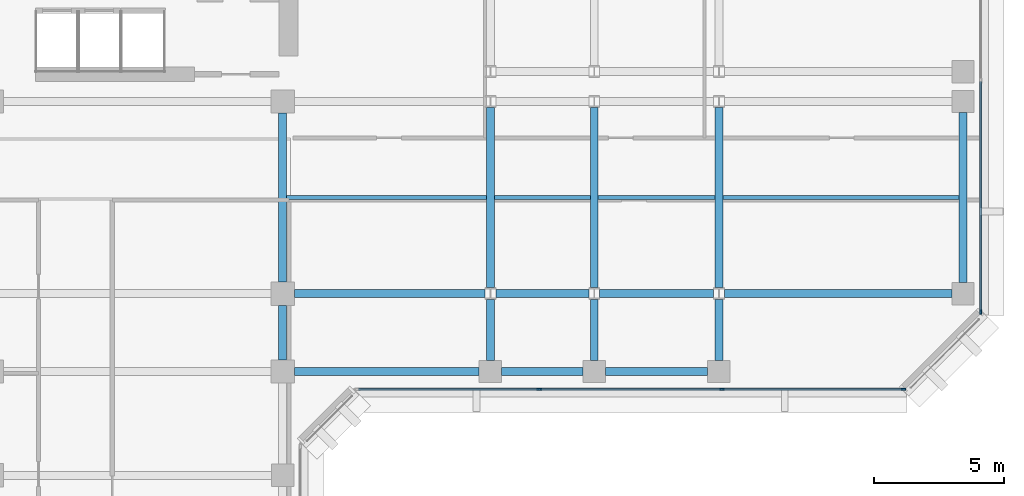
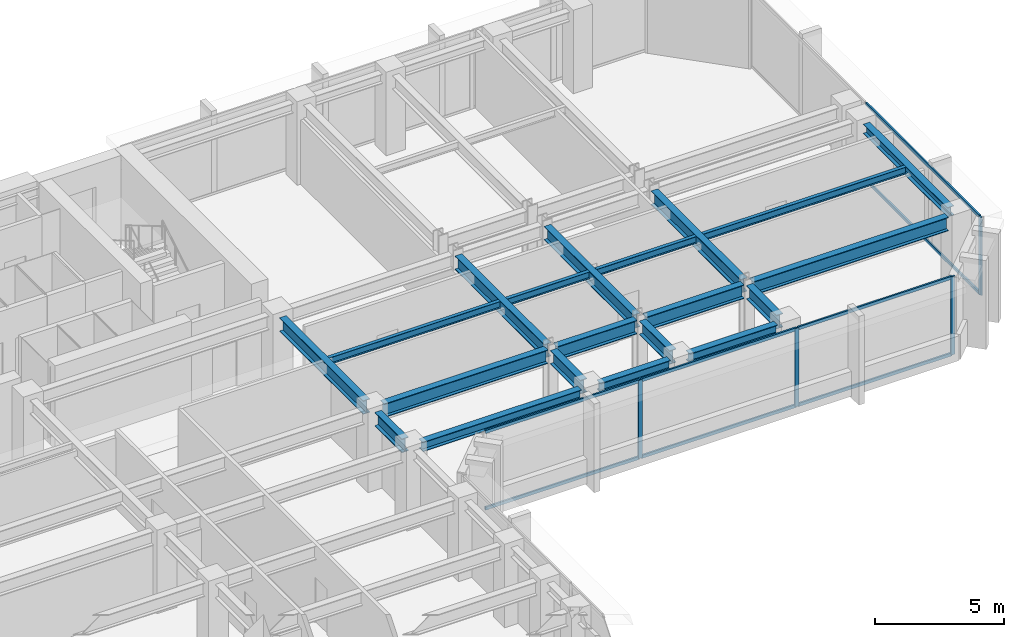
# One storey, part 3 of 11: 20 beams, 12 members, 2 elements without a shape of their own.
"""IFC4 building model written with IfcOpenShell, lengths in metres."""

from ifc_helpers import new_model, si_unit, direction, frame, origin, origin_2d, place, context, subcontext, project, spatial, rectangle, i_section, extrude, material, layer, layer_set, material_profile, profile_set, type_object, element, aggregate, save


model = new_model("IFC4")

# Units and contexts
model_context = context("Model", 3, precision=1e-05, world=origin(), true_north=direction((0.0, 1.0)))
body_context = subcontext(model_context, "Body", "Model", "MODEL_VIEW")
ifc_project = project(units=[si_unit("LENGTHUNIT", "METRE"), si_unit("AREAUNIT", "SQUARE_METRE"), si_unit("VOLUMEUNIT", "CUBIC_METRE"), si_unit("PLANEANGLEUNIT", "RADIAN"), si_unit("MASSUNIT", "GRAM", prefix="KILO")], contexts=[model_context])

# Site, building, storey
site_placement = place(None, origin())
site = spatial("IfcSite", under=ifc_project, at=site_placement, CompositionType="ELEMENT")
building_placement = place(site_placement, origin())
building = spatial("IfcBuilding", under=site, at=building_placement, Name="Kefirva Bronze Tower", CompositionType="ELEMENT")
storey_placement = place(building_placement, frame((0.0, 0.0, 166.64990234375)))
storey = spatial("IfcBuildingStorey", under=building, at=storey_placement, Name="L40", CompositionType="ELEMENT", Elevation=166.64990234375)

# Curtain wall, members
ifc_material_1 = material(Name="Bronze anodised aluminium", Category="aluminium")
ifc_layer = layer(ifc_material_1, 0.199951171875, Name="Bronze anodised aluminium")
ifc_layer_set = layer_set([ifc_layer], Name="Bronze anodised aluminium")
curtain_wall_type = type_object("IfcCurtainWallType", Name="Unitised Bronze Ribbon Curtain Wall Zone 2", PredefinedType="USERDEFINED", material=ifc_layer_set)
curtain_wall_1_placement = place(storey_placement, origin())
curtain_wall_1 = element("IfcCurtainWall", 1, at=curtain_wall_1_placement, inside=storey, type_object=curtain_wall_type, Name="L40 Curtain Wall 3", ObjectType="UNITISED CURTAIN WALL", PredefinedType="USERDEFINED")
ifc_material_profile_1 = material_profile(ifc_material_1, rectangle(XDim=0.074951171875, YDim=0.179931640625, at=origin_2d()), Name="ALU 75x180")
ifc_profile_set_1 = profile_set([ifc_material_profile_1], Name="Bronze anodised aluminium")
member_type_1 = type_object("IfcMemberType", Name="Bronze Mullion 75x180", PredefinedType="MULLION", material=ifc_profile_set_1)
member_1_placement = place(storey_placement, frame((33.0849609375, 22.1201171875, 0.0), z_axis=(0.0, 0.0, 1.0), x_axis=(0.0, 1.0, 0.0)))
member_1 = element("IfcMember", 2, at=member_1_placement, type_object=member_type_1, Name="CW-02 mullion 2", PredefinedType="MULLION", context=body_context, shape_type="SweptSolid", body=[
    extrude(rectangle(XDim=0.074951171875, YDim=0.179931640625, at=origin_2d()), origin(), (0.0, 0.0, 1.0), 3.710205078125),
])
member_2_placement = place(storey_placement, frame((40.114990234375, 22.1201171875, 0.0), z_axis=(0.0, 0.0, 1.0), x_axis=(0.0, 1.0, 0.0)))
member_2 = element("IfcMember", 3, at=member_2_placement, type_object=member_type_1, Name="CW-02 mullion 3", PredefinedType="MULLION", context=body_context, shape_type="SweptSolid", body=[
    extrude(rectangle(XDim=0.074951171875, YDim=0.179931640625, at=origin_2d()), origin(), (0.0, 0.0, 1.0), 3.710205078125),
])
member_3_placement = place(storey_placement, frame((47.107421875, 22.1201171875, 0.0), z_axis=(0.0, 0.0, 1.0), x_axis=(0.0, 1.0, 0.0)))
member_3 = element("IfcMember", 4, at=member_3_placement, type_object=member_type_1, Name="CW-02 mullion 4", PredefinedType="MULLION", context=body_context, shape_type="SweptSolid", body=[
    extrude(rectangle(XDim=0.074951171875, YDim=0.179931640625, at=origin_2d()), origin(), (0.0, 0.0, 1.0), 3.710205078125),
])

# Curtain wall, member
curtain_wall_2_placement = place(storey_placement, origin())
curtain_wall_2 = element("IfcCurtainWall", 5, at=curtain_wall_2_placement, inside=storey, type_object=curtain_wall_type, Name="L40 Curtain Wall 4", ObjectType="UNITISED CURTAIN WALL", PredefinedType="USERDEFINED")
member_4_placement = place(storey_placement, frame((50.080078125, 25.092529296875, 0.0), z_axis=(0.0, 0.0, 1.0), x_axis=(-1.0, 0.0, 0.0)))
member_4 = element("IfcMember", 6, at=member_4_placement, type_object=member_type_1, Name="CW-02 mullion 1", PredefinedType="MULLION", context=body_context, shape_type="SweptSolid", body=[
    extrude(rectangle(XDim=0.074951171875, YDim=0.179931640625, at=origin_2d()), origin(), (0.0, 0.0, 1.0), 3.710205078125),
])

# Member
ifc_material_profile_2 = material_profile(ifc_material_1, rectangle(XDim=0.074951171875, YDim=0.14990234375, at=origin_2d()), Name="ALU 75x150")
ifc_profile_set_2 = profile_set([ifc_material_profile_2], Name="Bronze anodised aluminium")
member_type_2 = type_object("IfcMemberType", Name="Bronze Transom 75x150", PredefinedType="USERDEFINED", material=ifc_profile_set_2)
member_5_placement = place(storey_placement, frame((26.1298828125, 22.1201171875, 0.03759765625), z_axis=(1.0, 0.0, 0.0), x_axis=(0.0, 1.0, 0.0)))
member_5 = element("IfcMember", 7, at=member_5_placement, type_object=member_type_2, Name="CW-02 transom 1.1", ObjectType="TRANSOM", PredefinedType="USERDEFINED", context=body_context, shape_type="SweptSolid", body=[
    extrude(rectangle(XDim=0.074951171875, YDim=0.14990234375, at=origin_2d()), origin(), (0.0, 0.0, 1.0), 6.917724609375),
])

member_6_placement = place(storey_placement, frame((26.1298828125, 22.1201171875, 3.672607421875), z_axis=(1.0, 0.0, 0.0), x_axis=(0.0, 1.0, 0.0)))
member_6 = element("IfcMember", 8, at=member_6_placement, type_object=member_type_2, Name="CW-02 transom 1.2", ObjectType="TRANSOM", PredefinedType="USERDEFINED", context=body_context, shape_type="SweptSolid", body=[
    extrude(rectangle(XDim=0.074951171875, YDim=0.14990234375, at=origin_2d()), origin(), (0.0, 0.0, 1.0), 6.917724609375),
])

member_7_placement = place(storey_placement, frame((33.12255859375, 22.1201171875, 0.03759765625), z_axis=(1.0, 0.0, 0.0), x_axis=(0.0, 1.0, 0.0)))
member_7 = element("IfcMember", 9, at=member_7_placement, type_object=member_type_2, Name="CW-02 transom 2.1", ObjectType="TRANSOM", PredefinedType="USERDEFINED", context=body_context, shape_type="SweptSolid", body=[
    extrude(rectangle(XDim=0.074951171875, YDim=0.14990234375, at=origin_2d()), origin(), (0.0, 0.0, 1.0), 6.954833984375),
])

member_8_placement = place(storey_placement, frame((33.12255859375, 22.1201171875, 3.672607421875), z_axis=(1.0, 0.0, 0.0), x_axis=(0.0, 1.0, 0.0)))
member_8 = element("IfcMember", 10, at=member_8_placement, type_object=member_type_2, Name="CW-02 transom 2.2", ObjectType="TRANSOM", PredefinedType="USERDEFINED", context=body_context, shape_type="SweptSolid", body=[
    extrude(rectangle(XDim=0.074951171875, YDim=0.14990234375, at=origin_2d()), origin(), (0.0, 0.0, 1.0), 6.954833984375),
])

member_9_placement = place(storey_placement, frame((40.152587890625, 22.1201171875, 0.03759765625), z_axis=(1.0, 0.0, 0.0), x_axis=(0.0, 1.0, 0.0)))
member_9 = element("IfcMember", 11, at=member_9_placement, type_object=member_type_2, Name="CW-02 transom 3.1", ObjectType="TRANSOM", PredefinedType="USERDEFINED", context=body_context, shape_type="SweptSolid", body=[
    extrude(rectangle(XDim=0.074951171875, YDim=0.14990234375, at=origin_2d()), origin(), (0.0, 0.0, 1.0), 6.91748046875),
])

member_10_placement = place(storey_placement, frame((40.152587890625, 22.1201171875, 3.672607421875), z_axis=(1.0, 0.0, 0.0), x_axis=(0.0, 1.0, 0.0)))
member_10 = element("IfcMember", 12, at=member_10_placement, type_object=member_type_2, Name="CW-02 transom 3.2", ObjectType="TRANSOM", PredefinedType="USERDEFINED", context=body_context, shape_type="SweptSolid", body=[
    extrude(rectangle(XDim=0.074951171875, YDim=0.14990234375, at=origin_2d()), origin(), (0.0, 0.0, 1.0), 6.91748046875),
])

aggregate(curtain_wall_1, [member_1, member_2, member_3, member_5, member_6, member_7, member_8, member_9, member_10])

member_11_placement = place(storey_placement, frame((50.080078125, 25.1298828125, 0.03759765625), z_axis=(0.0, 1.0, 0.0), x_axis=(-1.0, 0.0, 0.0)))
member_11 = element("IfcMember", 13, at=member_11_placement, type_object=member_type_2, Name="CW-02 transom 1.1", ObjectType="TRANSOM", PredefinedType="USERDEFINED", context=body_context, shape_type="SweptSolid", body=[
    extrude(rectangle(XDim=0.074951171875, YDim=0.14990234375, at=origin_2d()), origin(), (0.0, 0.0, 1.0), 8.83251953125),
])

member_12_placement = place(storey_placement, frame((50.080078125, 25.1298828125, 3.672607421875), z_axis=(0.0, 1.0, 0.0), x_axis=(-1.0, 0.0, 0.0)))
member_12 = element("IfcMember", 14, at=member_12_placement, type_object=member_type_2, Name="CW-02 transom 1.2", ObjectType="TRANSOM", PredefinedType="USERDEFINED", context=body_context, shape_type="SweptSolid", body=[
    extrude(rectangle(XDim=0.074951171875, YDim=0.14990234375, at=origin_2d()), origin(), (0.0, 0.0, 1.0), 8.83251953125),
])

aggregate(curtain_wall_2, [member_4, member_11, member_12])

# Beams
ifc_material_2 = material(Name="Steel S355", Category="steel")
ifc_material_profile_3 = material_profile(ifc_material_2, i_section(OverallWidth=0.159912109375, OverallDepth=0.330078125, WebThickness=0.007568359375, FlangeThickness=0.011474609375, at=origin_2d()), Name="IPE 330")
ifc_profile_set_3 = profile_set([ifc_material_profile_3], Name="Steel S355")
beam_type_1 = type_object("IfcBeamType", Name="Steel Floor Joist IPE 330", PredefinedType="JOIST", material=ifc_profile_set_3)
beam_1_placement = place(storey_placement, frame((23.35009765625, 29.5, 3.545166015625), z_axis=(1.0, 0.0, 0.0), x_axis=(0.0, 1.0, 0.0)))
element("IfcBeam", 15, at=beam_1_placement, inside=storey, type_object=beam_type_1, Name="L40 JST-L40-23-295", PredefinedType="JOIST", context=body_context, shape_type="SweptSolid", body=[
    extrude(i_section(OverallWidth=0.159912109375, OverallDepth=0.330078125, WebThickness=0.007568359375, FlangeThickness=0.011474609375, at=origin_2d()), origin(), (0.0, 0.0, 1.0), 7.699951171875),
])
beam_2_placement = place(storey_placement, frame((31.35009765625, 29.5, 3.545166015625), z_axis=(1.0, 0.0, 0.0), x_axis=(0.0, 1.0, 0.0)))
element("IfcBeam", 16, at=beam_2_placement, inside=storey, type_object=beam_type_1, Name="L40 JST-L40-31-295", PredefinedType="JOIST", context=body_context, shape_type="SweptSolid", body=[
    extrude(i_section(OverallWidth=0.159912109375, OverallDepth=0.330078125, WebThickness=0.007568359375, FlangeThickness=0.011474609375, at=origin_2d()), origin(), (0.0, 0.0, 1.0), 3.699951171875),
])
beam_3_placement = place(storey_placement, frame((35.35009765625, 29.5, 3.545166015625), z_axis=(1.0, 0.0, 0.0), x_axis=(0.0, 1.0, 0.0)))
element("IfcBeam", 17, at=beam_3_placement, inside=storey, type_object=beam_type_1, Name="L40 JST-L40-35-295", PredefinedType="JOIST", context=body_context, shape_type="SweptSolid", body=[
    extrude(i_section(OverallWidth=0.159912109375, OverallDepth=0.330078125, WebThickness=0.007568359375, FlangeThickness=0.011474609375, at=origin_2d()), origin(), (0.0, 0.0, 1.0), 4.5),
])
beam_4_placement = place(storey_placement, frame((40.14990234375, 29.5, 3.545166015625), z_axis=(1.0, 0.0, 0.0), x_axis=(0.0, 1.0, 0.0)))
element("IfcBeam", 18, at=beam_4_placement, inside=storey, type_object=beam_type_1, Name="L40 JST-L40-40-295", PredefinedType="JOIST", context=body_context, shape_type="SweptSolid", body=[
    extrude(i_section(OverallWidth=0.159912109375, OverallDepth=0.330078125, WebThickness=0.007568359375, FlangeThickness=0.011474609375, at=origin_2d()), origin(), (0.0, 0.0, 1.0), 9.10009765625),
])
ifc_material_profile_4 = material_profile(ifc_material_2, i_section(OverallWidth=0.300048828125, OverallDepth=0.64990234375, WebThickness=0.01611328125, FlangeThickness=0.031005859375, at=origin_2d()), Name="HEB 650")
ifc_profile_set_4 = profile_set([ifc_material_profile_4], Name="Steel S355")
beam_type_2 = type_object("IfcBeamType", Name="Steel Girder HEB 650", PredefinedType="USERDEFINED", material=ifc_profile_set_4)
beam_5_placement = place(storey_placement, frame((23.64990234375, 25.800048828125, 3.385009765625), z_axis=(1.0, 0.0, 0.0), x_axis=(0.0, 1.0, 0.0)))
element("IfcBeam", 19, at=beam_5_placement, inside=storey, type_object=beam_type_2, Name="L40 BM-L40-EW-23-258", ObjectType="GIRDER", PredefinedType="USERDEFINED", context=body_context, shape_type="SweptSolid", body=[
    extrude(i_section(OverallWidth=0.300048828125, OverallDepth=0.64990234375, WebThickness=0.01611328125, FlangeThickness=0.031005859375, at=origin_2d()), origin(), (0.0, 0.0, 1.0), 7.341064453125),
])
beam_6_placement = place(storey_placement, frame((31.408935546875, 25.800048828125, 3.385009765625), z_axis=(1.0, 0.0, 0.0), x_axis=(0.0, 1.0, 0.0)))
element("IfcBeam", 20, at=beam_6_placement, inside=storey, type_object=beam_type_2, Name="L40 BM-L40-EW-31-258", ObjectType="GIRDER", PredefinedType="USERDEFINED", context=body_context, shape_type="SweptSolid", body=[
    extrude(i_section(OverallWidth=0.300048828125, OverallDepth=0.64990234375, WebThickness=0.01611328125, FlangeThickness=0.031005859375, at=origin_2d()), origin(), (0.0, 0.0, 1.0), 3.58203125),
])
beam_7_placement = place(storey_placement, frame((35.408935546875, 25.800048828125, 3.385009765625), z_axis=(1.0, 0.0, 0.0), x_axis=(0.0, 1.0, 0.0)))
element("IfcBeam", 21, at=beam_7_placement, inside=storey, type_object=beam_type_2, Name="L40 BM-L40-EW-35-258", ObjectType="GIRDER", PredefinedType="USERDEFINED", context=body_context, shape_type="SweptSolid", body=[
    extrude(i_section(OverallWidth=0.300048828125, OverallDepth=0.64990234375, WebThickness=0.01611328125, FlangeThickness=0.031005859375, at=origin_2d()), origin(), (0.0, 0.0, 1.0), 4.382080078125),
])
beam_8_placement = place(storey_placement, frame((40.208984375, 25.800048828125, 3.385009765625), z_axis=(1.0, 0.0, 0.0), x_axis=(0.0, 1.0, 0.0)))
element("IfcBeam", 22, at=beam_8_placement, inside=storey, type_object=beam_type_2, Name="L40 BM-L40-EW-40-258", ObjectType="GIRDER", PredefinedType="USERDEFINED", context=body_context, shape_type="SweptSolid", body=[
    extrude(i_section(OverallWidth=0.300048828125, OverallDepth=0.64990234375, WebThickness=0.01611328125, FlangeThickness=0.031005859375, at=origin_2d()), origin(), (0.0, 0.0, 1.0), 8.760986328125),
])
beam_9_placement = place(storey_placement, frame((23.199951171875, 23.25, 3.385009765625), z_axis=(0.0, 1.0, 0.0), x_axis=(-1.0, 0.0, 0.0)))
element("IfcBeam", 23, at=beam_9_placement, inside=storey, type_object=beam_type_2, Name="L40 BM-L40-NS-232-22", ObjectType="GIRDER", PredefinedType="USERDEFINED", context=body_context, shape_type="SweptSolid", body=[
    extrude(i_section(OverallWidth=0.300048828125, OverallDepth=0.64990234375, WebThickness=0.01611328125, FlangeThickness=0.031005859375, at=origin_2d()), origin(), (0.0, 0.0, 1.0), 2.10009765625),
])
beam_10_placement = place(storey_placement, frame((23.199951171875, 26.25, 3.385009765625), z_axis=(0.0, 1.0, 0.0), x_axis=(-1.0, 0.0, 0.0)))
element("IfcBeam", 24, at=beam_10_placement, inside=storey, type_object=beam_type_2, Name="L40 BM-L40-NS-232-25", ObjectType="GIRDER", PredefinedType="USERDEFINED", context=body_context, shape_type="SweptSolid", body=[
    extrude(i_section(OverallWidth=0.300048828125, OverallDepth=0.64990234375, WebThickness=0.01611328125, FlangeThickness=0.031005859375, at=origin_2d()), origin(), (0.0, 0.0, 1.0), 6.5),
])
beam_11_placement = place(storey_placement, frame((31.199951171875, 23.22998046875, 3.385009765625), z_axis=(0.0, 1.0, 0.0), x_axis=(-1.0, 0.0, 0.0)))
element("IfcBeam", 25, at=beam_11_placement, inside=storey, type_object=beam_type_2, Name="L40 BM-L40-NS-312-22", ObjectType="GIRDER", PredefinedType="USERDEFINED", context=body_context, shape_type="SweptSolid", body=[
    extrude(i_section(OverallWidth=0.300048828125, OverallDepth=0.64990234375, WebThickness=0.01611328125, FlangeThickness=0.031005859375, at=origin_2d()), origin(), (0.0, 0.0, 1.0), 2.342529296875),
])
beam_12_placement = place(storey_placement, frame((31.199951171875, 26.027587890625, 3.385009765625), z_axis=(0.0, 1.0, 0.0), x_axis=(-1.0, 0.0, 0.0)))
element("IfcBeam", 26, at=beam_12_placement, inside=storey, type_object=beam_type_2, Name="L40 BM-L40-NS-312-25", ObjectType="GIRDER", PredefinedType="USERDEFINED", context=body_context, shape_type="SweptSolid", body=[
    extrude(i_section(OverallWidth=0.300048828125, OverallDepth=0.64990234375, WebThickness=0.01611328125, FlangeThickness=0.031005859375, at=origin_2d()), origin(), (0.0, 0.0, 1.0), 6.94482421875),
])
beam_13_placement = place(storey_placement, frame((35.199951171875, 23.22998046875, 3.385009765625), z_axis=(0.0, 1.0, 0.0), x_axis=(-1.0, 0.0, 0.0)))
element("IfcBeam", 27, at=beam_13_placement, inside=storey, type_object=beam_type_2, Name="L40 BM-L40-NS-352-22", ObjectType="GIRDER", PredefinedType="USERDEFINED", context=body_context, shape_type="SweptSolid", body=[
    extrude(i_section(OverallWidth=0.300048828125, OverallDepth=0.64990234375, WebThickness=0.01611328125, FlangeThickness=0.031005859375, at=origin_2d()), origin(), (0.0, 0.0, 1.0), 2.342529296875),
])
beam_14_placement = place(storey_placement, frame((35.199951171875, 26.027587890625, 3.385009765625), z_axis=(0.0, 1.0, 0.0), x_axis=(-1.0, 0.0, 0.0)))
element("IfcBeam", 28, at=beam_14_placement, inside=storey, type_object=beam_type_2, Name="L40 BM-L40-NS-352-25", ObjectType="GIRDER", PredefinedType="USERDEFINED", context=body_context, shape_type="SweptSolid", body=[
    extrude(i_section(OverallWidth=0.300048828125, OverallDepth=0.64990234375, WebThickness=0.01611328125, FlangeThickness=0.031005859375, at=origin_2d()), origin(), (0.0, 0.0, 1.0), 6.94482421875),
])
beam_15_placement = place(storey_placement, frame((40.0, 23.22998046875, 3.385009765625), z_axis=(0.0, 1.0, 0.0), x_axis=(-1.0, 0.0, 0.0)))
element("IfcBeam", 29, at=beam_15_placement, inside=storey, type_object=beam_type_2, Name="L40 BM-L40-NS-400-22", ObjectType="GIRDER", PredefinedType="USERDEFINED", context=body_context, shape_type="SweptSolid", body=[
    extrude(i_section(OverallWidth=0.300048828125, OverallDepth=0.64990234375, WebThickness=0.01611328125, FlangeThickness=0.031005859375, at=origin_2d()), origin(), (0.0, 0.0, 1.0), 2.342529296875),
])
beam_16_placement = place(storey_placement, frame((40.0, 26.027587890625, 3.385009765625), z_axis=(0.0, 1.0, 0.0), x_axis=(-1.0, 0.0, 0.0)))
element("IfcBeam", 30, at=beam_16_placement, inside=storey, type_object=beam_type_2, Name="L40 BM-L40-NS-400-25", ObjectType="GIRDER", PredefinedType="USERDEFINED", context=body_context, shape_type="SweptSolid", body=[
    extrude(i_section(OverallWidth=0.300048828125, OverallDepth=0.64990234375, WebThickness=0.01611328125, FlangeThickness=0.031005859375, at=origin_2d()), origin(), (0.0, 0.0, 1.0), 6.94482421875),
])
ifc_material_profile_5 = material_profile(ifc_material_2, i_section(OverallWidth=0.300048828125, OverallDepth=0.449951171875, WebThickness=0.013916015625, FlangeThickness=0.02587890625, at=origin_2d()), Name="HEB 450")
ifc_profile_set_5 = profile_set([ifc_material_profile_5], Name="Steel S355")
beam_type_3 = type_object("IfcBeamType", Name="Steel Spandrel HEB 450 Ext", PredefinedType="SPANDREL", material=ifc_profile_set_5)
beam_17_placement = place(storey_placement, frame((23.64990234375, 22.800048828125, 3.485107421875), z_axis=(1.0, 0.0, 0.0), x_axis=(0.0, 1.0, 0.0)))
element("IfcBeam", 31, at=beam_17_placement, inside=storey, type_object=beam_type_3, Name="L40 BM-L40-EW-23-228", PredefinedType="SPANDREL", context=body_context, shape_type="SweptSolid", body=[
    extrude(i_section(OverallWidth=0.300048828125, OverallDepth=0.449951171875, WebThickness=0.013916015625, FlangeThickness=0.02587890625, at=origin_2d()), origin(), (0.0, 0.0, 1.0), 7.1201171875),
])
beam_18_placement = place(storey_placement, frame((31.6298828125, 22.800048828125, 3.485107421875), z_axis=(1.0, 0.0, 0.0), x_axis=(0.0, 1.0, 0.0)))
element("IfcBeam", 32, at=beam_18_placement, inside=storey, type_object=beam_type_3, Name="L40 BM-L40-EW-31-228", PredefinedType="SPANDREL", context=body_context, shape_type="SweptSolid", body=[
    extrude(i_section(OverallWidth=0.300048828125, OverallDepth=0.449951171875, WebThickness=0.013916015625, FlangeThickness=0.02587890625, at=origin_2d()), origin(), (0.0, 0.0, 1.0), 3.14013671875),
])
beam_19_placement = place(storey_placement, frame((35.6298828125, 22.800048828125, 3.485107421875), z_axis=(1.0, 0.0, 0.0), x_axis=(0.0, 1.0, 0.0)))
element("IfcBeam", 33, at=beam_19_placement, inside=storey, type_object=beam_type_3, Name="L40 BM-L40-EW-35-228", PredefinedType="SPANDREL", context=body_context, shape_type="SweptSolid", body=[
    extrude(i_section(OverallWidth=0.300048828125, OverallDepth=0.449951171875, WebThickness=0.013916015625, FlangeThickness=0.02587890625, at=origin_2d()), origin(), (0.0, 0.0, 1.0), 3.940185546875),
])
beam_20_placement = place(storey_placement, frame((49.39990234375, 26.22998046875, 3.485107421875), z_axis=(0.0, 1.0, 0.0), x_axis=(-1.0, 0.0, 0.0)))
element("IfcBeam", 34, at=beam_20_placement, inside=storey, type_object=beam_type_3, Name="L40 BM-L40-NS-494-25", PredefinedType="SPANDREL", context=body_context, shape_type="SweptSolid", body=[
    extrude(i_section(OverallWidth=0.300048828125, OverallDepth=0.449951171875, WebThickness=0.013916015625, FlangeThickness=0.02587890625, at=origin_2d()), origin(), (0.0, 0.0, 1.0), 6.5400390625),
])

save(model, "model.ifc")
